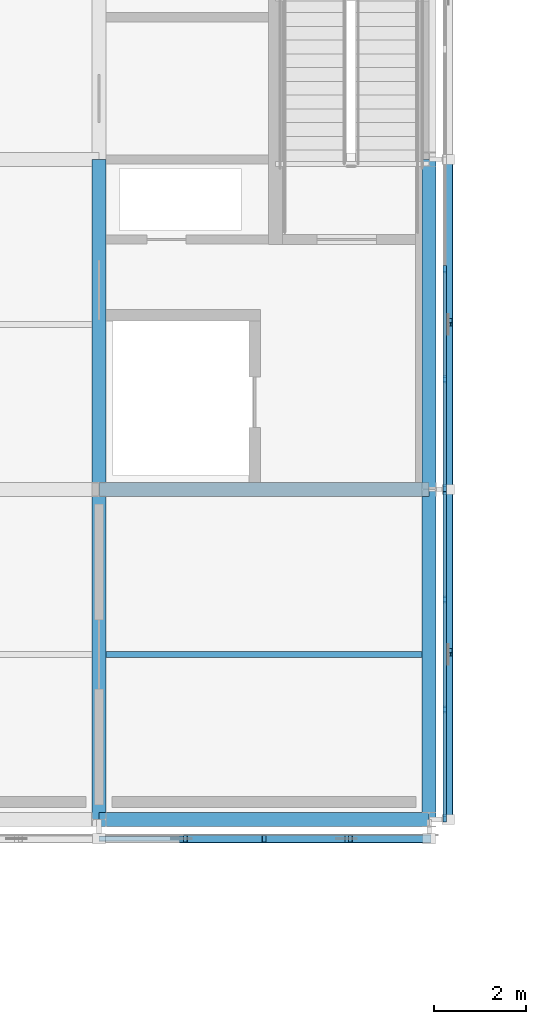
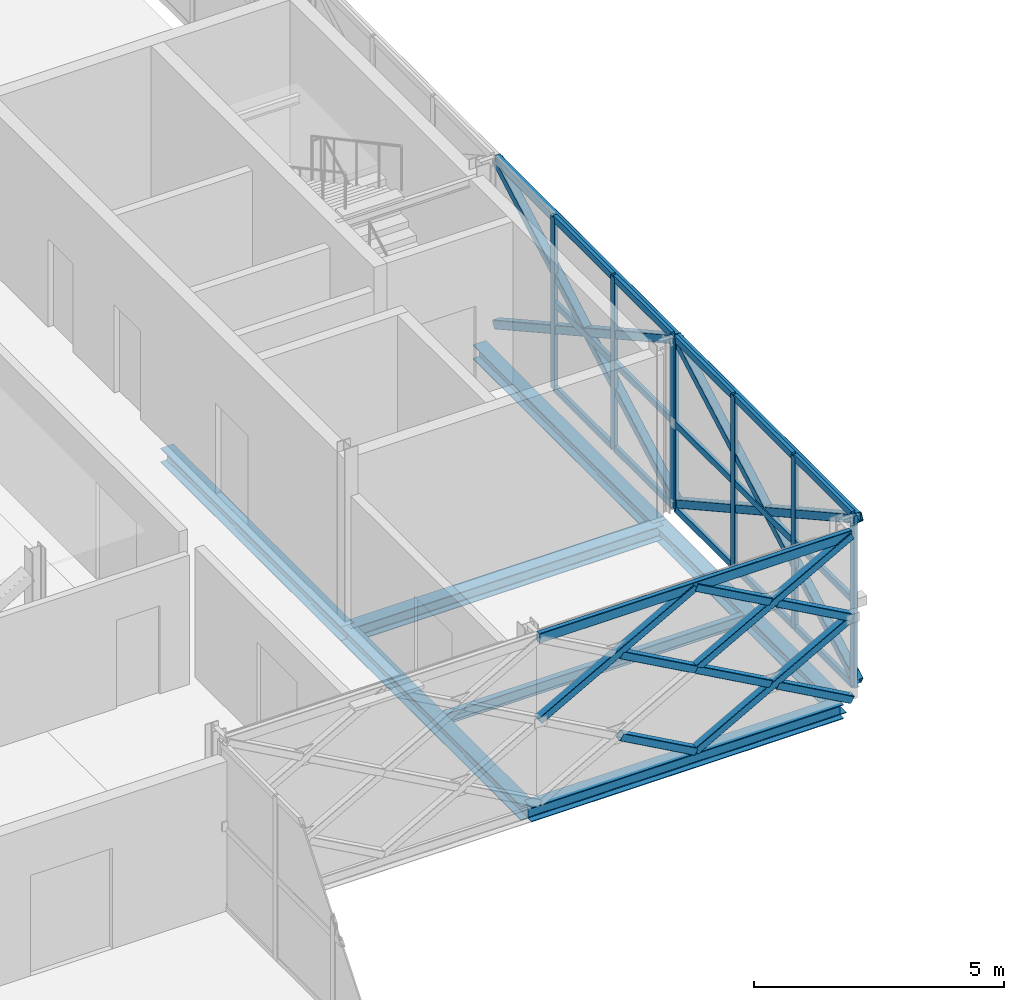
# One storey, part 30 of 126: 40 members, 7 beams, 2 elements without a shape of their own.
"""IFC4 building model written with IfcOpenShell, lengths in metres."""

from ifc_helpers import new_model, si_unit, direction, frame, origin, origin_2d, place, context, subcontext, project, spatial, rectangle, hollow_rectangle, i_section, extrude, material, material_profile, profile_set, type_object, element, aggregate, save


model = new_model("IFC4")

# Units and contexts
model_context = context("Model", 3, precision=1e-05, world=origin(), true_north=direction((0.0, 1.0)))
body_context = subcontext(model_context, "Body", "Model", "MODEL_VIEW")
ifc_project = project(units=[si_unit("LENGTHUNIT", "METRE"), si_unit("AREAUNIT", "SQUARE_METRE"), si_unit("VOLUMEUNIT", "CUBIC_METRE"), si_unit("PLANEANGLEUNIT", "RADIAN"), si_unit("MASSUNIT", "GRAM", prefix="KILO")], contexts=[model_context])

# Site, building, storey
site_placement = place(None, origin())
site = spatial("IfcSite", under=ifc_project, at=site_placement, CompositionType="ELEMENT")
building_placement = place(site_placement, origin())
building = spatial("IfcBuilding", under=site, at=building_placement, Name="Zlatovets Crest Museum", CompositionType="ELEMENT")
storey_placement = place(building_placement, frame((0.0, 0.0, 8.699951171875)))
storey = spatial("IfcBuildingStorey", under=building, at=storey_placement, Name="L02", CompositionType="ELEMENT", Elevation=8.699951171875)

# Beams
ifc_material_1 = material(Name="Structural steel S355J2", Category="steel")
ifc_material_profile_1 = material_profile(ifc_material_1, i_section(OverallWidth=0.300048828125, OverallDepth=0.35009765625, WebThickness=0.010009765625, FlangeThickness=0.017578125, FilletRadius=0.027099609375, at=origin_2d()), Name="HEA 360")
ifc_profile_set_1 = profile_set([ifc_material_profile_1], Name="Structural steel S355J2")
beam_type_1 = type_object("IfcBeamType", Name="Beam_B-03", PredefinedType="BEAM", material=ifc_profile_set_1)
for number, where, z_axis, x_axis, name in (
    (1, (28.800048828125, 50.39990234375, -0.39501953125), (1.0, 0.0, 0.0), (0.0, 1.0, 0.0), "V4 L02 Primary Girder B-03"),
    (2, (28.800048828125, 57.60009765625, -0.39501953125), (1.0, 0.0, 0.0), (0.0, 1.0, 0.0), "V4 L02 Primary Girder B-03"),
):
    element("IfcBeam", number, at=place(storey_placement, frame(where, z_axis=z_axis, x_axis=x_axis)), inside=storey, type_object=beam_type_1, Name=name, PredefinedType="BEAM", context=body_context, shape_type="SweptSolid", body=[
        extrude(i_section(OverallWidth=0.300048828125, OverallDepth=0.35009765625, WebThickness=0.010009765625, FlangeThickness=0.017578125, FilletRadius=0.027099609375, at=origin_2d()), origin(), (0.0, 0.0, 1.0), 7.199951171875),
    ])
beam_1_placement = place(storey_placement, frame((28.800048828125, 50.39990234375, -0.39501953125), z_axis=(0.0, 1.0, 0.0), x_axis=(-1.0, 0.0, 0.0)))
element("IfcBeam", 3, at=beam_1_placement, inside=storey, type_object=beam_type_1, Name="V4 L02 Grid Beam B-03", PredefinedType="BEAM", context=body_context, shape_type="SweptSolid", body=[
    extrude(i_section(OverallWidth=0.300048828125, OverallDepth=0.35009765625, WebThickness=0.010009765625, FlangeThickness=0.017578125, FilletRadius=0.027099609375, at=origin_2d()), origin(), (0.0, 0.0, 1.0), 7.2001953125),
])
beam_2_placement = place(storey_placement, frame((28.800048828125, 57.60009765625, -0.39501953125), z_axis=(0.0, 1.0, 0.0), x_axis=(-1.0, 0.0, 0.0)))
element("IfcBeam", 4, at=beam_2_placement, inside=storey, type_object=beam_type_1, Name="V4 L02 Grid Beam B-03", PredefinedType="BEAM", context=body_context, shape_type="SweptSolid", body=[
    extrude(i_section(OverallWidth=0.300048828125, OverallDepth=0.35009765625, WebThickness=0.010009765625, FlangeThickness=0.017578125, FilletRadius=0.027099609375, at=origin_2d()), origin(), (0.0, 0.0, 1.0), 7.199951171875),
])
beam_3_placement = place(storey_placement, frame((36.0, 50.39990234375, -0.39501953125), z_axis=(0.0, 1.0, 0.0), x_axis=(-1.0, 0.0, 0.0)))
element("IfcBeam", 5, at=beam_3_placement, inside=storey, type_object=beam_type_1, Name="V4 L02 Grid Beam B-03", PredefinedType="BEAM", context=body_context, shape_type="SweptSolid", body=[
    extrude(i_section(OverallWidth=0.300048828125, OverallDepth=0.35009765625, WebThickness=0.010009765625, FlangeThickness=0.017578125, FilletRadius=0.027099609375, at=origin_2d()), origin(), (0.0, 0.0, 1.0), 7.2001953125),
])
beam_4_placement = place(storey_placement, frame((36.0, 57.60009765625, -0.39501953125), z_axis=(0.0, 1.0, 0.0), x_axis=(-1.0, 0.0, 0.0)))
element("IfcBeam", 6, at=beam_4_placement, inside=storey, type_object=beam_type_1, Name="V4 L02 Grid Beam B-03", PredefinedType="BEAM", context=body_context, shape_type="SweptSolid", body=[
    extrude(i_section(OverallWidth=0.300048828125, OverallDepth=0.35009765625, WebThickness=0.010009765625, FlangeThickness=0.017578125, FilletRadius=0.027099609375, at=origin_2d()), origin(), (0.0, 0.0, 1.0), 7.199951171875),
])
ifc_material_profile_2 = material_profile(ifc_material_1, i_section(OverallWidth=0.135009765625, OverallDepth=0.27001953125, WebThickness=0.006591796875, FlangeThickness=0.01025390625, FilletRadius=0.014892578125, at=origin_2d()), Name="IPE 270")
ifc_profile_set_2 = profile_set([ifc_material_profile_2], Name="Structural steel S355J2")
beam_type_2 = type_object("IfcBeamType", Name="Beam_J-03", PredefinedType="JOIST", material=ifc_profile_set_2)
beam_5_placement = place(storey_placement, frame((28.949951171875, 54.0, -0.35498046875), z_axis=(1.0, 0.0, 0.0), x_axis=(0.0, 1.0, 0.0)))
element("IfcBeam", 7, at=beam_5_placement, inside=storey, type_object=beam_type_2, Name="V4 L02 Composite Joist J-03", PredefinedType="JOIST", context=body_context, shape_type="SweptSolid", body=[
    extrude(i_section(OverallWidth=0.135009765625, OverallDepth=0.27001953125, WebThickness=0.006591796875, FlangeThickness=0.01025390625, FilletRadius=0.014892578125, at=origin_2d()), origin(), (0.0, 0.0, 1.0), 6.900146484375),
])

# Curtain wall, members
ifc_material_2 = material(Name="Bronze-anodised aluminium and low-E triple glass", Category="aluminium")
curtain_wall_type_1 = type_object("IfcCurtainWallType", Name="CW_CW-V4-L02-M0", PredefinedType="NOTDEFINED", material=ifc_material_2)
curtain_wall_1_placement = place(storey_placement, origin())
curtain_wall_1 = element("IfcCurtainWall", 8, at=curtain_wall_1_placement, inside=storey, type_object=curtain_wall_type_1, Name="V4 L02 Secession Foyer Clear Curtain Wall", PredefinedType="NOTDEFINED")
ifc_material_3 = material(Name="Bronze-anodised aluminium EN AW-6060", Category="aluminium")
ifc_material_profile_3 = material_profile(ifc_material_3, rectangle(XDim=0.080078125, YDim=0.159912109375, at=origin_2d()), Name="ALU 80x160")
ifc_profile_set_3 = profile_set([ifc_material_profile_3], Name="Bronze-anodised aluminium EN AW-6060")
member_type_1 = type_object("IfcMemberType", Name="CWMull_M1", PredefinedType="MULLION", material=ifc_profile_set_3)
member_1_placement = place(storey_placement, frame((36.340087890625, 50.429931640625, 0.0), z_axis=(0.0, 0.0, 1.0), x_axis=(-1.0, 0.0, 0.0)))
member_1 = element("IfcMember", 9, at=member_1_placement, type_object=member_type_1, Name="CW-V4-L02-M0 mullion 1", PredefinedType="MULLION", context=body_context, shape_type="SweptSolid", body=[
    extrude(rectangle(XDim=0.080078125, YDim=0.159912109375, at=origin_2d()), origin(), (0.0, 0.0, 1.0), 4.199951171875),
])
member_2_placement = place(storey_placement, frame((36.340087890625, 52.800048828125, 0.0), z_axis=(0.0, 0.0, 1.0), x_axis=(-1.0, 0.0, 0.0)))
member_2 = element("IfcMember", 10, at=member_2_placement, type_object=member_type_1, Name="CW-V4-L02-M0 mullion 2", PredefinedType="MULLION", context=body_context, shape_type="SweptSolid", body=[
    extrude(rectangle(XDim=0.080078125, YDim=0.159912109375, at=origin_2d()), origin(), (0.0, 0.0, 1.0), 4.199951171875),
])
member_3_placement = place(storey_placement, frame((36.340087890625, 55.199951171875, 0.0), z_axis=(0.0, 0.0, 1.0), x_axis=(-1.0, 0.0, 0.0)))
member_3 = element("IfcMember", 11, at=member_3_placement, type_object=member_type_1, Name="CW-V4-L02-M0 mullion 3", PredefinedType="MULLION", context=body_context, shape_type="SweptSolid", body=[
    extrude(rectangle(XDim=0.080078125, YDim=0.159912109375, at=origin_2d()), origin(), (0.0, 0.0, 1.0), 4.199951171875),
])
member_4_placement = place(storey_placement, frame((36.340087890625, 57.570068359375, 0.0), z_axis=(0.0, 0.0, 1.0), x_axis=(-1.0, 0.0, 0.0)))
member_4 = element("IfcMember", 12, at=member_4_placement, type_object=member_type_1, Name="CW-V4-L02-M0 mullion 4", PredefinedType="MULLION", context=body_context, shape_type="SweptSolid", body=[
    extrude(rectangle(XDim=0.080078125, YDim=0.159912109375, at=origin_2d()), origin(), (0.0, 0.0, 1.0), 4.199951171875),
])

curtain_wall_type_2 = type_object("IfcCurtainWallType", Name="CW_CW-V4-L02-M1", PredefinedType="NOTDEFINED", material=ifc_material_2)
curtain_wall_2_placement = place(storey_placement, origin())
curtain_wall_2 = element("IfcCurtainWall", 13, at=curtain_wall_2_placement, inside=storey, type_object=curtain_wall_type_2, Name="V4 L02 Expressed Core Glazed Facade", PredefinedType="NOTDEFINED")
member_5_placement = place(storey_placement, frame((36.340087890625, 57.6298828125, 0.0), z_axis=(0.0, 0.0, 1.0), x_axis=(-1.0, 0.0, 0.0)))
member_5 = element("IfcMember", 14, at=member_5_placement, type_object=member_type_1, Name="CW-V4-L02-M1 mullion 1", PredefinedType="MULLION", context=body_context, shape_type="SweptSolid", body=[
    extrude(rectangle(XDim=0.080078125, YDim=0.159912109375, at=origin_2d()), origin(), (0.0, 0.0, 1.0), 4.199951171875),
])
member_6_placement = place(storey_placement, frame((36.340087890625, 60.0, 0.0), z_axis=(0.0, 0.0, 1.0), x_axis=(-1.0, 0.0, 0.0)))
member_6 = element("IfcMember", 15, at=member_6_placement, type_object=member_type_1, Name="CW-V4-L02-M1 mullion 2", PredefinedType="MULLION", context=body_context, shape_type="SweptSolid", body=[
    extrude(rectangle(XDim=0.080078125, YDim=0.159912109375, at=origin_2d()), origin(), (0.0, 0.0, 1.0), 4.199951171875),
])
member_7_placement = place(storey_placement, frame((36.340087890625, 62.39990234375, 0.0), z_axis=(0.0, 0.0, 1.0), x_axis=(-1.0, 0.0, 0.0)))
member_7 = element("IfcMember", 16, at=member_7_placement, type_object=member_type_1, Name="CW-V4-L02-M1 mullion 3", PredefinedType="MULLION", context=body_context, shape_type="SweptSolid", body=[
    extrude(rectangle(XDim=0.080078125, YDim=0.159912109375, at=origin_2d()), origin(), (0.0, 0.0, 1.0), 4.199951171875),
])

# Member
ifc_material_profile_4 = material_profile(ifc_material_3, rectangle(XDim=0.080078125, YDim=0.159912109375, at=origin_2d()), Name="ALU 80x160")
ifc_profile_set_4 = profile_set([ifc_material_profile_4], Name="Bronze-anodised aluminium EN AW-6060")
member_type_2 = type_object("IfcMemberType", Name="CWTrans_T1", PredefinedType="USERDEFINED", material=ifc_profile_set_4)
member_8_placement = place(storey_placement, frame((36.340087890625, 50.4599609375, 0.030029296875), z_axis=(0.0, 1.0, 0.0), x_axis=(-1.0, 0.0, 0.0)))
member_8 = element("IfcMember", 17, at=member_8_placement, type_object=member_type_2, Name="CW-V4-L02-M0 transom 1.1", ObjectType="TRANSOM", PredefinedType="USERDEFINED", context=body_context, shape_type="SweptSolid", body=[
    extrude(rectangle(XDim=0.080078125, YDim=0.159912109375, at=origin_2d()), origin(), (0.0, 0.0, 1.0), 2.31005859375),
])

member_9_placement = place(storey_placement, frame((36.340087890625, 50.4599609375, 2.10009765625), z_axis=(0.0, 1.0, 0.0), x_axis=(-1.0, 0.0, 0.0)))
member_9 = element("IfcMember", 18, at=member_9_placement, type_object=member_type_2, Name="CW-V4-L02-M0 transom 1.2", ObjectType="TRANSOM", PredefinedType="USERDEFINED", context=body_context, shape_type="SweptSolid", body=[
    extrude(rectangle(XDim=0.080078125, YDim=0.159912109375, at=origin_2d()), origin(), (0.0, 0.0, 1.0), 2.31005859375),
])

member_10_placement = place(storey_placement, frame((36.340087890625, 50.4599609375, 4.170166015625), z_axis=(0.0, 1.0, 0.0), x_axis=(-1.0, 0.0, 0.0)))
member_10 = element("IfcMember", 19, at=member_10_placement, type_object=member_type_2, Name="CW-V4-L02-M0 transom 1.3", ObjectType="TRANSOM", PredefinedType="USERDEFINED", context=body_context, shape_type="SweptSolid", body=[
    extrude(rectangle(XDim=0.080078125, YDim=0.159912109375, at=origin_2d()), origin(), (0.0, 0.0, 1.0), 2.31005859375),
])

member_11_placement = place(storey_placement, frame((36.340087890625, 52.830078125, 0.030029296875), z_axis=(0.0, 1.0, 0.0), x_axis=(-1.0, 0.0, 0.0)))
member_11 = element("IfcMember", 20, at=member_11_placement, type_object=member_type_2, Name="CW-V4-L02-M0 transom 2.1", ObjectType="TRANSOM", PredefinedType="USERDEFINED", context=body_context, shape_type="SweptSolid", body=[
    extrude(rectangle(XDim=0.080078125, YDim=0.159912109375, at=origin_2d()), origin(), (0.0, 0.0, 1.0), 2.33984375),
])

member_12_placement = place(storey_placement, frame((36.340087890625, 52.830078125, 2.10009765625), z_axis=(0.0, 1.0, 0.0), x_axis=(-1.0, 0.0, 0.0)))
member_12 = element("IfcMember", 21, at=member_12_placement, type_object=member_type_2, Name="CW-V4-L02-M0 transom 2.2", ObjectType="TRANSOM", PredefinedType="USERDEFINED", context=body_context, shape_type="SweptSolid", body=[
    extrude(rectangle(XDim=0.080078125, YDim=0.159912109375, at=origin_2d()), origin(), (0.0, 0.0, 1.0), 2.33984375),
])

member_13_placement = place(storey_placement, frame((36.340087890625, 52.830078125, 4.170166015625), z_axis=(0.0, 1.0, 0.0), x_axis=(-1.0, 0.0, 0.0)))
member_13 = element("IfcMember", 22, at=member_13_placement, type_object=member_type_2, Name="CW-V4-L02-M0 transom 2.3", ObjectType="TRANSOM", PredefinedType="USERDEFINED", context=body_context, shape_type="SweptSolid", body=[
    extrude(rectangle(XDim=0.080078125, YDim=0.159912109375, at=origin_2d()), origin(), (0.0, 0.0, 1.0), 2.33984375),
])

member_14_placement = place(storey_placement, frame((36.340087890625, 55.22998046875, 0.030029296875), z_axis=(0.0, 1.0, 0.0), x_axis=(-1.0, 0.0, 0.0)))
member_14 = element("IfcMember", 23, at=member_14_placement, type_object=member_type_2, Name="CW-V4-L02-M0 transom 3.1", ObjectType="TRANSOM", PredefinedType="USERDEFINED", context=body_context, shape_type="SweptSolid", body=[
    extrude(rectangle(XDim=0.080078125, YDim=0.159912109375, at=origin_2d()), origin(), (0.0, 0.0, 1.0), 2.31005859375),
])

member_15_placement = place(storey_placement, frame((36.340087890625, 55.22998046875, 2.10009765625), z_axis=(0.0, 1.0, 0.0), x_axis=(-1.0, 0.0, 0.0)))
member_15 = element("IfcMember", 24, at=member_15_placement, type_object=member_type_2, Name="CW-V4-L02-M0 transom 3.2", ObjectType="TRANSOM", PredefinedType="USERDEFINED", context=body_context, shape_type="SweptSolid", body=[
    extrude(rectangle(XDim=0.080078125, YDim=0.159912109375, at=origin_2d()), origin(), (0.0, 0.0, 1.0), 2.31005859375),
])

member_16_placement = place(storey_placement, frame((36.340087890625, 55.22998046875, 4.170166015625), z_axis=(0.0, 1.0, 0.0), x_axis=(-1.0, 0.0, 0.0)))
member_16 = element("IfcMember", 25, at=member_16_placement, type_object=member_type_2, Name="CW-V4-L02-M0 transom 3.3", ObjectType="TRANSOM", PredefinedType="USERDEFINED", context=body_context, shape_type="SweptSolid", body=[
    extrude(rectangle(XDim=0.080078125, YDim=0.159912109375, at=origin_2d()), origin(), (0.0, 0.0, 1.0), 2.31005859375),
])

aggregate(curtain_wall_1, [member_1, member_2, member_3, member_4, member_8, member_9, member_10, member_11, member_12, member_13, member_14, member_15, member_16])

member_17_placement = place(storey_placement, frame((36.340087890625, 57.659912109375, 0.030029296875), z_axis=(0.0, 1.0, 0.0), x_axis=(-1.0, 0.0, 0.0)))
member_17 = element("IfcMember", 26, at=member_17_placement, type_object=member_type_2, Name="CW-V4-L02-M1 transom 1.1", ObjectType="TRANSOM", PredefinedType="USERDEFINED", context=body_context, shape_type="SweptSolid", body=[
    extrude(rectangle(XDim=0.080078125, YDim=0.159912109375, at=origin_2d()), origin(), (0.0, 0.0, 1.0), 2.31005859375),
])

member_18_placement = place(storey_placement, frame((36.340087890625, 57.659912109375, 2.10009765625), z_axis=(0.0, 1.0, 0.0), x_axis=(-1.0, 0.0, 0.0)))
member_18 = element("IfcMember", 27, at=member_18_placement, type_object=member_type_2, Name="CW-V4-L02-M1 transom 1.2", ObjectType="TRANSOM", PredefinedType="USERDEFINED", context=body_context, shape_type="SweptSolid", body=[
    extrude(rectangle(XDim=0.080078125, YDim=0.159912109375, at=origin_2d()), origin(), (0.0, 0.0, 1.0), 2.31005859375),
])

member_19_placement = place(storey_placement, frame((36.340087890625, 57.659912109375, 4.170166015625), z_axis=(0.0, 1.0, 0.0), x_axis=(-1.0, 0.0, 0.0)))
member_19 = element("IfcMember", 28, at=member_19_placement, type_object=member_type_2, Name="CW-V4-L02-M1 transom 1.3", ObjectType="TRANSOM", PredefinedType="USERDEFINED", context=body_context, shape_type="SweptSolid", body=[
    extrude(rectangle(XDim=0.080078125, YDim=0.159912109375, at=origin_2d()), origin(), (0.0, 0.0, 1.0), 2.31005859375),
])

member_20_placement = place(storey_placement, frame((36.340087890625, 60.030029296875, 0.030029296875), z_axis=(0.0, 1.0, 0.0), x_axis=(-1.0, 0.0, 0.0)))
member_20 = element("IfcMember", 29, at=member_20_placement, type_object=member_type_2, Name="CW-V4-L02-M1 transom 2.1", ObjectType="TRANSOM", PredefinedType="USERDEFINED", context=body_context, shape_type="SweptSolid", body=[
    extrude(rectangle(XDim=0.080078125, YDim=0.159912109375, at=origin_2d()), origin(), (0.0, 0.0, 1.0), 2.340087890625),
])

member_21_placement = place(storey_placement, frame((36.340087890625, 60.030029296875, 2.10009765625), z_axis=(0.0, 1.0, 0.0), x_axis=(-1.0, 0.0, 0.0)))
member_21 = element("IfcMember", 30, at=member_21_placement, type_object=member_type_2, Name="CW-V4-L02-M1 transom 2.2", ObjectType="TRANSOM", PredefinedType="USERDEFINED", context=body_context, shape_type="SweptSolid", body=[
    extrude(rectangle(XDim=0.080078125, YDim=0.159912109375, at=origin_2d()), origin(), (0.0, 0.0, 1.0), 2.340087890625),
])

member_22_placement = place(storey_placement, frame((36.340087890625, 60.030029296875, 4.170166015625), z_axis=(0.0, 1.0, 0.0), x_axis=(-1.0, 0.0, 0.0)))
member_22 = element("IfcMember", 31, at=member_22_placement, type_object=member_type_2, Name="CW-V4-L02-M1 transom 2.3", ObjectType="TRANSOM", PredefinedType="USERDEFINED", context=body_context, shape_type="SweptSolid", body=[
    extrude(rectangle(XDim=0.080078125, YDim=0.159912109375, at=origin_2d()), origin(), (0.0, 0.0, 1.0), 2.340087890625),
])

aggregate(curtain_wall_2, [member_5, member_6, member_7, member_17, member_18, member_19, member_20, member_21, member_22])

# Members
ifc_material_4 = material(Name="Weathering bronze-steel S355J2W", Category="steel")
ifc_material_profile_5 = material_profile(ifc_material_4, hollow_rectangle(XDim=0.179931640625, YDim=0.179931640625, WallThickness=0.010009765625, InnerFilletRadius=0.010009765625, OuterFilletRadius=0.02001953125, at=origin_2d()), Name="SHS 180x180x10.0")
ifc_profile_set_5 = profile_set([ifc_material_profile_5], Name="Weathering bronze-steel S355J2W")
member_type_3 = type_object("IfcMemberType", Name="Lattice_XL-01", PredefinedType="BRACE", material=ifc_profile_set_5)
member_23_placement = place(storey_placement, frame((30.68310546875, 49.97998046875, 1.053955078125), z_axis=(0.874139684676, 0.0, -0.48567459443), x_axis=(0.0, 1.0, 0.0)))
element("IfcMember", 32, at=member_23_placement, inside=storey, type_object=member_type_3, Name="Split Crossing Bronze Lattice Diagonal Lower", PredefinedType="BRACE", context=body_context, shape_type="SweptSolid", body=[
    extrude(hollow_rectangle(XDim=0.179931640625, YDim=0.179931640625, WallThickness=0.010009765625, InnerFilletRadius=0.010009765625, OuterFilletRadius=0.02001953125, at=origin_2d()), origin(), (0.0, 0.0, 1.0), 1.9638671875),
])
member_24_placement = place(storey_placement, frame((32.39990234375, 49.97998046875, 0.10009765625), z_axis=(0.874162868644, 0.0, 0.485632864501), x_axis=(0.0, 1.0, 0.0)))
element("IfcMember", 33, at=member_24_placement, inside=storey, type_object=member_type_3, Name="Continuous Bronze Lattice Diagonal", PredefinedType="BRACE", context=body_context, shape_type="SweptSolid", body=[
    extrude(hollow_rectangle(XDim=0.179931640625, YDim=0.179931640625, WallThickness=0.010009765625, InnerFilletRadius=0.010009765625, OuterFilletRadius=0.02001953125, at=origin_2d()), origin(), (0.0, 0.0, 1.0), 4.118408203125),
])
for number, where, z_axis, x_axis, name in (
    (34, (32.39990234375, 49.97998046875, 2.10009765625), (0.874169001841, 0.0, -0.485621824284), (0.0, 1.0, 0.0), "Split Crossing Bronze Lattice Diagonal Upper"),
    (35, (34.282958984375, 49.97998046875, 1.053955078125), (0.874169001841, 0.0, -0.485621824284), (0.0, 1.0, 0.0), "Split Crossing Bronze Lattice Diagonal Lower"),
):
    element("IfcMember", number, at=place(storey_placement, frame(where, z_axis=z_axis, x_axis=x_axis)), inside=storey, type_object=member_type_3, Name=name, PredefinedType="BRACE", context=body_context, shape_type="SweptSolid", body=[
        extrude(hollow_rectangle(XDim=0.179931640625, YDim=0.179931640625, WallThickness=0.010009765625, InnerFilletRadius=0.010009765625, OuterFilletRadius=0.02001953125, at=origin_2d()), origin(), (0.0, 0.0, 1.0), 1.964111328125),
    ])
member_25_placement = place(storey_placement, frame((28.800048828125, 49.97998046875, 2.10009765625), z_axis=(0.874148886685, 0.0, 0.485658031857), x_axis=(0.0, 1.0, 0.0)))
element("IfcMember", 36, at=member_25_placement, inside=storey, type_object=member_type_3, Name="Continuous Bronze Lattice Diagonal", PredefinedType="BRACE", context=body_context, shape_type="SweptSolid", body=[
    extrude(hollow_rectangle(XDim=0.179931640625, YDim=0.179931640625, WallThickness=0.010009765625, InnerFilletRadius=0.010009765625, OuterFilletRadius=0.02001953125, at=origin_2d()), origin(), (0.0, 0.0, 1.0), 4.1181640625),
])
member_26_placement = place(storey_placement, frame((30.68310546875, 49.97998046875, 3.053955078125), z_axis=(0.874139684676, 0.0, -0.48567459443), x_axis=(0.0, 1.0, 0.0)))
element("IfcMember", 37, at=member_26_placement, inside=storey, type_object=member_type_3, Name="Split Crossing Bronze Lattice Diagonal Lower", PredefinedType="BRACE", context=body_context, shape_type="SweptSolid", body=[
    extrude(hollow_rectangle(XDim=0.179931640625, YDim=0.179931640625, WallThickness=0.010009765625, InnerFilletRadius=0.010009765625, OuterFilletRadius=0.02001953125, at=origin_2d()), origin(), (0.0, 0.0, 1.0), 1.9638671875),
])
member_27_placement = place(storey_placement, frame((32.39990234375, 49.97998046875, 2.10009765625), z_axis=(0.874162868644, 0.0, 0.485632864501), x_axis=(0.0, 1.0, 0.0)))
element("IfcMember", 38, at=member_27_placement, inside=storey, type_object=member_type_3, Name="Continuous Bronze Lattice Diagonal", PredefinedType="BRACE", context=body_context, shape_type="SweptSolid", body=[
    extrude(hollow_rectangle(XDim=0.179931640625, YDim=0.179931640625, WallThickness=0.010009765625, InnerFilletRadius=0.010009765625, OuterFilletRadius=0.02001953125, at=origin_2d()), origin(), (0.0, 0.0, 1.0), 4.118408203125),
])
for number, where, z_axis, x_axis, name in (
    (39, (32.39990234375, 49.97998046875, 4.10009765625), (0.874169001841, 0.0, -0.485621824284), (0.0, 1.0, 0.0), "Split Crossing Bronze Lattice Diagonal Upper"),
    (40, (34.282958984375, 49.97998046875, 3.053955078125), (0.874169001841, 0.0, -0.485621824284), (0.0, 1.0, 0.0), "Split Crossing Bronze Lattice Diagonal Lower"),
):
    element("IfcMember", number, at=place(storey_placement, frame(where, z_axis=z_axis, x_axis=x_axis)), inside=storey, type_object=member_type_3, Name=name, PredefinedType="BRACE", context=body_context, shape_type="SweptSolid", body=[
        extrude(hollow_rectangle(XDim=0.179931640625, YDim=0.179931640625, WallThickness=0.010009765625, InnerFilletRadius=0.010009765625, OuterFilletRadius=0.02001953125, at=origin_2d()), origin(), (0.0, 0.0, 1.0), 1.964111328125),
    ])
ifc_material_profile_6 = material_profile(ifc_material_4, hollow_rectangle(XDim=0.199951171875, YDim=0.199951171875, WallThickness=0.012451171875, InnerFilletRadius=0.012451171875, OuterFilletRadius=0.02490234375, at=origin_2d()), Name="SHS 200x200x12.5")
ifc_profile_set_6 = profile_set([ifc_material_profile_6], Name="Weathering bronze-steel S355J2W")
member_type_4 = type_object("IfcMemberType", Name="Lattice_XL-02", PredefinedType="BRACE", material=ifc_profile_set_6)
member_28_placement = place(storey_placement, frame((36.419921875, 50.39990234375, 0.10009765625), z_axis=(0.0, 0.874162868644, 0.485632864501), x_axis=(-1.0, 0.0, 0.0)))
element("IfcMember", 41, at=member_28_placement, inside=storey, type_object=member_type_4, Name="Continuous Bronze Lattice Diagonal", PredefinedType="BRACE", context=body_context, shape_type="SweptSolid", body=[
    extrude(hollow_rectangle(XDim=0.199951171875, YDim=0.199951171875, WallThickness=0.012451171875, InnerFilletRadius=0.012451171875, OuterFilletRadius=0.02490234375, at=origin_2d()), origin(), (0.0, 0.0, 1.0), 8.236572265625),
])
for number, where, z_axis, x_axis, name in (
    (42, (36.419921875, 50.39990234375, 4.10009765625), (0.0, 0.874165862873, -0.485627474703), (-1.0, 0.0, 0.0), "Split Crossing Bronze Lattice Diagonal Upper"),
    (43, (36.419921875, 54.0830078125, 2.053955078125), (0.0, 0.874165862873, -0.485627474703), (-1.0, 0.0, 0.0), "Split Crossing Bronze Lattice Diagonal Lower"),
):
    element("IfcMember", number, at=place(storey_placement, frame(where, z_axis=z_axis, x_axis=x_axis)), inside=storey, type_object=member_type_4, Name=name, PredefinedType="BRACE", context=body_context, shape_type="SweptSolid", body=[
        extrude(hollow_rectangle(XDim=0.199951171875, YDim=0.199951171875, WallThickness=0.012451171875, InnerFilletRadius=0.012451171875, OuterFilletRadius=0.02490234375, at=origin_2d()), origin(), (0.0, 0.0, 1.0), 4.0234375),
    ])
member_29_placement = place(storey_placement, frame((36.419921875, 57.60009765625, 0.10009765625), z_axis=(0.0, 0.874155877937, 0.485645447903), x_axis=(-1.0, 0.0, 0.0)))
element("IfcMember", 44, at=member_29_placement, inside=storey, type_object=member_type_4, Name="Continuous Bronze Lattice Diagonal", PredefinedType="BRACE", context=body_context, shape_type="SweptSolid", body=[
    extrude(hollow_rectangle(XDim=0.199951171875, YDim=0.199951171875, WallThickness=0.012451171875, InnerFilletRadius=0.012451171875, OuterFilletRadius=0.02490234375, at=origin_2d()), origin(), (0.0, 0.0, 1.0), 8.236572265625),
])
member_30_placement = place(storey_placement, frame((36.419921875, 57.60009765625, 4.10009765625), z_axis=(0.0, 0.874151551165, -0.485653235958), x_axis=(-1.0, 0.0, 0.0)))
element("IfcMember", 45, at=member_30_placement, inside=storey, type_object=member_type_4, Name="Split Crossing Bronze Lattice Diagonal Upper", PredefinedType="BRACE", context=body_context, shape_type="SweptSolid", body=[
    extrude(hollow_rectangle(XDim=0.199951171875, YDim=0.199951171875, WallThickness=0.012451171875, InnerFilletRadius=0.012451171875, OuterFilletRadius=0.02490234375, at=origin_2d()), origin(), (0.0, 0.0, 1.0), 4.023193359375),
])
member_31_placement = place(storey_placement, frame((36.419921875, 61.282958984375, 2.053955078125), z_axis=(0.0, 0.874165862873, -0.485627474703), x_axis=(-1.0, 0.0, 0.0)))
element("IfcMember", 46, at=member_31_placement, inside=storey, type_object=member_type_4, Name="Split Crossing Bronze Lattice Diagonal Lower", PredefinedType="BRACE", context=body_context, shape_type="SweptSolid", body=[
    extrude(hollow_rectangle(XDim=0.199951171875, YDim=0.199951171875, WallThickness=0.012451171875, InnerFilletRadius=0.012451171875, OuterFilletRadius=0.02490234375, at=origin_2d()), origin(), (0.0, 0.0, 1.0), 4.0234375),
])
ifc_material_profile_7 = material_profile(ifc_material_4, hollow_rectangle(XDim=0.1201171875, YDim=0.239990234375, WallThickness=0.010009765625, InnerFilletRadius=0.010009765625, OuterFilletRadius=0.02001953125, at=origin_2d()), Name="RHS 120x240x10.0")
ifc_profile_set_7 = profile_set([ifc_material_profile_7], Name="Weathering bronze-steel S355J2W")
member_type_5 = type_object("IfcMemberType", Name="Lattice_XL-04", PredefinedType="CHORD", material=ifc_profile_set_7)
member_32_placement = place(storey_placement, frame((28.800048828125, 49.97998046875, 4.10009765625), z_axis=(1.0, 0.0, 0.0), x_axis=(0.0, 1.0, 0.0)))
element("IfcMember", 47, at=member_32_placement, inside=storey, type_object=member_type_5, Name="Art Nouveau Woven Cage Collector Ring Chord", PredefinedType="CHORD", context=body_context, shape_type="SweptSolid", body=[
    extrude(hollow_rectangle(XDim=0.1201171875, YDim=0.239990234375, WallThickness=0.010009765625, InnerFilletRadius=0.010009765625, OuterFilletRadius=0.02001953125, at=origin_2d()), origin(), (0.0, 0.0, 1.0), 7.199951171875),
])
member_33_placement = place(storey_placement, frame((36.419921875, 50.39990234375, 4.10009765625), z_axis=(0.0, 1.0, 0.0), x_axis=(-1.0, 0.0, 0.0)))
element("IfcMember", 48, at=member_33_placement, inside=storey, type_object=member_type_5, Name="Art Nouveau Woven Cage Collector Ring Chord", PredefinedType="CHORD", context=body_context, shape_type="SweptSolid", body=[
    extrude(hollow_rectangle(XDim=0.1201171875, YDim=0.239990234375, WallThickness=0.010009765625, InnerFilletRadius=0.010009765625, OuterFilletRadius=0.02001953125, at=origin_2d()), origin(), (0.0, 0.0, 1.0), 7.2001953125),
])
member_34_placement = place(storey_placement, frame((36.419921875, 57.60009765625, 4.10009765625), z_axis=(0.0, 1.0, 0.0), x_axis=(-1.0, 0.0, 0.0)))
element("IfcMember", 49, at=member_34_placement, inside=storey, type_object=member_type_5, Name="Art Nouveau Woven Cage Collector Ring Chord", PredefinedType="CHORD", context=body_context, shape_type="SweptSolid", body=[
    extrude(hollow_rectangle(XDim=0.1201171875, YDim=0.239990234375, WallThickness=0.010009765625, InnerFilletRadius=0.010009765625, OuterFilletRadius=0.02001953125, at=origin_2d()), origin(), (0.0, 0.0, 1.0), 7.199951171875),
])

save(model, "model.ifc")
